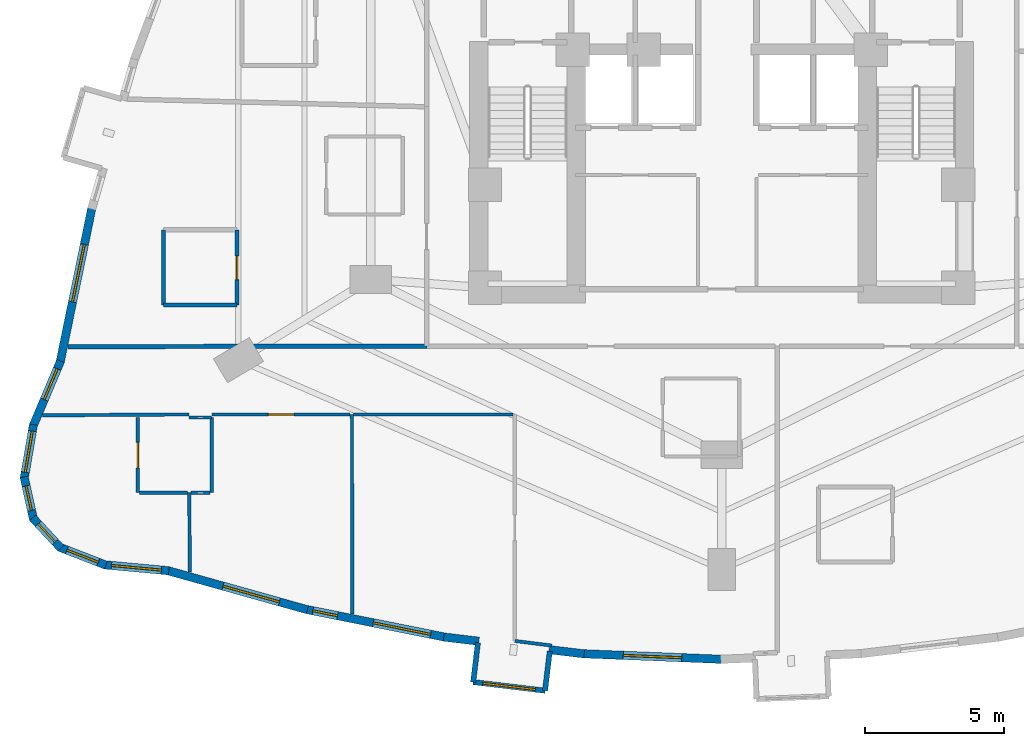
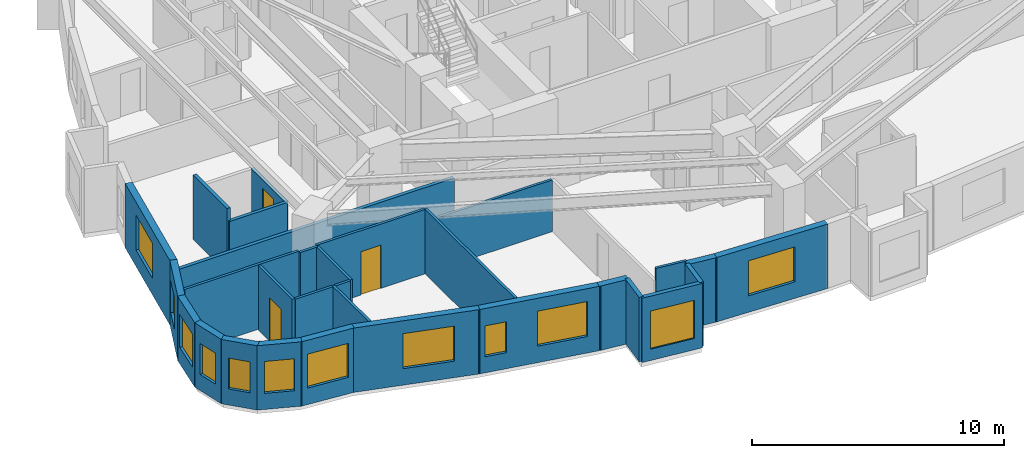
# One storey, part 8 of 15: 30 walls, 12 windows, 3 doors, 15 openings.
"""IFC4 building model written with IfcOpenShell, lengths in metres."""

from ifc_helpers import new_model, si_unit, direction, frame, frame_2d, origin, place, context, subcontext, project, spatial, rectangle, extrude, material, layer, layer_set, type_object, element, fill, save


model = new_model("IFC4")

# Units and contexts
model_context = context("Model", 3, precision=1e-05, world=origin(), true_north=direction((0.0, 1.0)))
body_context = subcontext(model_context, "Body", "Model", "MODEL_VIEW")
ifc_project = project(units=[si_unit("LENGTHUNIT", "METRE"), si_unit("AREAUNIT", "SQUARE_METRE"), si_unit("VOLUMEUNIT", "CUBIC_METRE"), si_unit("PLANEANGLEUNIT", "RADIAN"), si_unit("MASSUNIT", "GRAM", prefix="KILO")], contexts=[model_context])

# Site, building, storey
site_placement = place(None, origin())
site = spatial("IfcSite", under=ifc_project, at=site_placement, CompositionType="ELEMENT")
building_placement = place(site_placement, origin())
building = spatial("IfcBuilding", under=site, at=building_placement, Name="Miruveldt Soraemaru", CompositionType="ELEMENT")
storey_placement = place(building_placement, frame((0.0, 0.0, 32.60009765625)))
storey = spatial("IfcBuildingStorey", under=building, at=storey_placement, Name="L08", CompositionType="ELEMENT", Elevation=32.60009765625)

# Walls
ifc_material_1 = material(Name="White powder-coated aluminium EN AW-6060 T6", Category="aluminium")
ifc_layer_1 = layer(ifc_material_1, 0.18994140625, Name="White powder-coated aluminium EN AW-6060 T6", Category="aluminium")
ifc_layer_set_1 = layer_set([ifc_layer_1], Name="White powder-coated aluminium EN AW-6060 T6")
wall_type_1 = type_object("IfcWallType", Name="WALL-BAY-ALU190", PredefinedType="SOLIDWALL", material=ifc_layer_set_1)
wall_1_placement = place(storey_placement, frame((35.244384765625, 22.7529296875, 0.0), z_axis=(0.0, 0.0, 1.0), x_axis=(-0.119057405757, -0.992887372331, 0.0)))
element("IfcWall", 1, at=wall_1_placement, inside=storey, type_object=wall_type_1, Name="L08 Bay Window Side Cheek 4L", PredefinedType="SOLIDWALL", context=body_context, shape_type="SweptSolid", body=[
    extrude(rectangle(XDim=1.42529296875, YDim=0.18994140625, at=frame_2d((0.712646484375, 0.0))), origin(), (0.0, 0.0, 1.0), 3.125),
])
wall_2_placement = place(storey_placement, frame((37.656005859375, 21.0283203125, 0.0), z_axis=(0.0, 0.0, 1.0), x_axis=(0.119077659317, 0.992884943511, 0.0)))
element("IfcWall", 2, at=wall_2_placement, inside=storey, type_object=wall_type_1, Name="L08 Bay Window Side Cheek 4R", PredefinedType="SOLIDWALL", context=body_context, shape_type="SweptSolid", body=[
    extrude(rectangle(XDim=1.425048828125, YDim=0.18994140625, at=frame_2d((0.71240234375, 0.0))), origin(), (0.0, 0.0, 1.0), 3.125),
])

# Wall, opening, window
wall_3_placement = place(storey_placement, frame((35.07470703125, 21.337890625, 0.0), z_axis=(0.0, 0.0, 1.0), x_axis=(0.992885278793, -0.119074863663, 0.0)))
wall_3 = element("IfcWall", 3, at=wall_3_placement, inside=storey, type_object=wall_type_1, Name="L08 Bay Window Front Frame 4", PredefinedType="SOLIDWALL", context=body_context, shape_type="SweptSolid", body=[
    extrude(rectangle(XDim=2.599853515625, YDim=0.18994140625, at=frame_2d((1.2998046875, 0.0))), origin(), (0.0, 0.0, 1.0), 3.125),
])
opening_1_placement = place(wall_3_placement, frame((0.35009765625, 0.0, 0.550048828125)))
opening_1 = element("IfcOpeningElement", 4, at=opening_1_placement, cuts=wall_3, Name="Opening WN-6", PredefinedType="OPENING", context=body_context, shape_type="SweptSolid", body=[
    extrude(rectangle(XDim=1.89990234375, YDim=1.85009765625, at=frame_2d((0.949951171875, 0.925048828125))), frame((0.0, 0.10498046875, 0.0), z_axis=(0.0, -1.0, 0.0), x_axis=(1.0, 0.0, 0.0)), (0.0, 0.0, 1.0), 0.2099609375),
])
ifc_material_2 = material(Name="Triple low-e insulated glazing", Category="glass")
window_type_1 = type_object("IfcWindowType", Name="WIN-BAYW-1900x1850", PartitioningType="SINGLE_PANEL", PredefinedType="WINDOW", material=ifc_material_2)
window_1_placement = place(opening_1_placement, origin())
window_1 = element("IfcWindow", 5, at=window_1_placement, inside=storey, type_object=window_type_1, Name="L08 Projecting Bay Window 4", OverallHeight=1.85009765625, OverallWidth=1.89990234375, PartitioningType="SINGLE_PANEL", PredefinedType="WINDOW", context=body_context, shape_type="SweptSolid", body=[
    extrude(rectangle(XDim=1.89990234375, YDim=1.85009765625, at=frame_2d((0.949951171875, 0.925048828125))), frame((0.0, 0.030029296875, 0.0), z_axis=(0.0, -1.0, 0.0), x_axis=(1.0, 0.0, 0.0)), (0.0, 0.0, 1.0), 0.06005859375),
])
fill(opening_1, window_1)

ifc_material_3 = material(Name="Precast concrete C45/55 (45 MPa)", Category="concrete")
ifc_layer_2 = layer(ifc_material_3, 0.300048828125, Name="Precast concrete C45/55 (45 MPa)", Category="concrete")
ifc_layer_set_2 = layer_set([ifc_layer_2], Name="Precast concrete C45/55 (45 MPa)")
wall_type_2 = type_object("IfcWallType", Name="WALL-EXT-PC300", PredefinedType="SOLIDWALL", material=ifc_layer_set_2)
wall_4_placement = place(storey_placement, frame((21.386474609375, 38.39306640625, 0.0), z_axis=(0.0, 0.0, 1.0), x_axis=(-0.201578050416, -0.979472454738, 0.0)))
wall_4 = element("IfcWall", 6, at=wall_4_placement, inside=storey, type_object=wall_type_2, Name="L08 Precast Concrete Facade Wall 14", PredefinedType="SOLIDWALL", context=body_context, shape_type="SweptSolid", body=[
    extrude(rectangle(XDim=5.70458984375, YDim=0.300048828125, at=frame_2d((2.852294921875, 0.0))), origin(), (0.0, 0.0, 1.0), 3.125),
])
opening_2_placement = place(wall_4_placement, frame((1.3701171875, 0.0, 0.800048828125)))
opening_2 = element("IfcOpeningElement", 7, at=opening_2_placement, cuts=wall_4, Name="Opening WN-1", PredefinedType="OPENING", context=body_context, shape_type="SweptSolid", body=[
    extrude(rectangle(XDim=2.10009765625, YDim=1.699951171875, at=frame_2d((1.050048828125, 0.85009765625))), frame((0.0, 0.16015625, 0.0), z_axis=(0.0, -1.0, 0.0), x_axis=(1.0, 0.0, 0.0)), (0.0, 0.0, 1.0), 0.320068359375),
])
window_type_2 = type_object("IfcWindowType", Name="WIN-PUNCH-2100x1700", PartitioningType="SINGLE_PANEL", PredefinedType="WINDOW", material=ifc_material_2)
window_2_placement = place(opening_2_placement, origin())
window_2 = element("IfcWindow", 8, at=window_2_placement, inside=storey, type_object=window_type_2, Name="L08 Punched Triple-Glazed Window 14.1", OverallHeight=1.699951171875, OverallWidth=2.10009765625, PartitioningType="SINGLE_PANEL", PredefinedType="WINDOW", context=body_context, shape_type="SweptSolid", body=[
    extrude(rectangle(XDim=2.10009765625, YDim=1.699951171875, at=frame_2d((1.050048828125, 0.85009765625))), frame((0.0, 0.030029296875, 0.0), z_axis=(0.0, -1.0, 0.0), x_axis=(1.0, 0.0, 0.0)), (0.0, 0.0, 1.0), 0.06005859375),
])
fill(opening_2, window_2)

wall_5_placement = place(storey_placement, frame((20.25732421875, 32.8720703125, 0.0), z_axis=(0.0, 0.0, 1.0), x_axis=(-0.388671385618, -0.921376445326, 0.0)))
wall_5 = element("IfcWall", 9, at=wall_5_placement, inside=storey, type_object=wall_type_2, Name="L08 Precast Concrete Facade Wall 15", PredefinedType="SOLIDWALL", context=body_context, shape_type="SweptSolid", body=[
    extrude(rectangle(XDim=2.557861328125, YDim=0.300048828125, at=frame_2d((1.27880859375, 0.0))), origin(), (0.0, 0.0, 1.0), 3.125),
])
opening_3_placement = place(wall_5_placement, frame((0.305908203125, 0.0, 0.780029296875)))
opening_3 = element("IfcOpeningElement", 10, at=opening_3_placement, cuts=wall_5, Name="Opening WN-4", PredefinedType="OPENING", context=body_context, shape_type="SweptSolid", body=[
    extrude(rectangle(XDim=1.199951171875, YDim=1.550048828125, at=frame_2d((0.60009765625, 0.77490234375))), frame((0.0, 0.16015625, 0.0), z_axis=(0.0, -1.0, 0.0), x_axis=(1.0, 0.0, 0.0)), (0.0, 0.0, 1.0), 0.320068359375),
])
window_type_3 = type_object("IfcWindowType", Name="WIN-PUNCH-1200x1550", PartitioningType="SINGLE_PANEL", PredefinedType="WINDOW", material=ifc_material_2)
window_3_placement = place(opening_3_placement, origin())
window_3 = element("IfcWindow", 11, at=window_3_placement, inside=storey, type_object=window_type_3, Name="L08 Punched Triple-Glazed Window 15.1", OverallHeight=1.550048828125, OverallWidth=1.199951171875, PartitioningType="SINGLE_PANEL", PredefinedType="WINDOW", context=body_context, shape_type="SweptSolid", body=[
    extrude(rectangle(XDim=1.199951171875, YDim=1.550048828125, at=frame_2d((0.60009765625, 0.77490234375))), frame((0.0, 0.030029296875, 0.0), z_axis=(0.0, -1.0, 0.0), x_axis=(1.0, 0.0, 0.0)), (0.0, 0.0, 1.0), 0.06005859375),
])
fill(opening_3, window_3)

wall_6_placement = place(storey_placement, frame((19.28271484375, 30.58203125, 0.0), z_axis=(0.0, 0.0, 1.0), x_axis=(-0.169272905245, -0.985569218041, 0.0)))
wall_6 = element("IfcWall", 12, at=wall_6_placement, inside=storey, type_object=wall_type_2, Name="L08 Precast Concrete Facade Wall 16", PredefinedType="SOLIDWALL", context=body_context, shape_type="SweptSolid", body=[
    extrude(rectangle(XDim=1.97314453125, YDim=0.300048828125, at=frame_2d((0.986572265625, 0.0))), origin(), (0.0, 0.0, 1.0), 3.125),
])
opening_4_placement = place(wall_6_placement, frame((0.236083984375, 0.0, 0.800048828125)))
opening_4 = element("IfcOpeningElement", 13, at=opening_4_placement, cuts=wall_6, Name="Opening WN-3", PredefinedType="OPENING", context=body_context, shape_type="SweptSolid", body=[
    extrude(rectangle(XDim=1.5, YDim=1.60009765625, at=frame_2d((0.75, 0.800048828125))), frame((0.0, 0.16015625, 0.0), z_axis=(0.0, -1.0, 0.0), x_axis=(1.0, 0.0, 0.0)), (0.0, 0.0, 1.0), 0.320068359375),
])
window_type_4 = type_object("IfcWindowType", Name="WIN-PUNCH-1500x1600", PartitioningType="SINGLE_PANEL", PredefinedType="WINDOW", material=ifc_material_2)
window_4_placement = place(opening_4_placement, origin())
window_4 = element("IfcWindow", 14, at=window_4_placement, inside=storey, type_object=window_type_4, Name="L08 Punched Triple-Glazed Window 16.1", OverallHeight=1.60009765625, OverallWidth=1.5, PartitioningType="SINGLE_PANEL", PredefinedType="WINDOW", context=body_context, shape_type="SweptSolid", body=[
    extrude(rectangle(XDim=1.5, YDim=1.60009765625, at=frame_2d((0.75, 0.800048828125))), frame((0.0, 0.030029296875, 0.0), z_axis=(0.0, -1.0, 0.0), x_axis=(1.0, 0.0, 0.0)), (0.0, 0.0, 1.0), 0.06005859375),
])
fill(opening_4, window_4)

wall_7_placement = place(storey_placement, frame((18.947021484375, 28.706298828125, 0.0), z_axis=(0.0, 0.0, 1.0), x_axis=(0.215707327846, -0.976458062957, 0.0)))
wall_7 = element("IfcWall", 15, at=wall_7_placement, inside=storey, type_object=wall_type_2, Name="L08 Precast Concrete Facade Wall 17", PredefinedType="SOLIDWALL", context=body_context, shape_type="SweptSolid", body=[
    extrude(rectangle(XDim=1.564208984375, YDim=0.300048828125, at=frame_2d((0.7822265625, 0.0))), origin(), (0.0, 0.0, 1.0), 3.125),
])
opening_5_placement = place(wall_7_placement, frame((0.33203125, 0.0, 0.780029296875)))
opening_5 = element("IfcOpeningElement", 16, at=opening_5_placement, cuts=wall_7, Name="Opening WN-7", PredefinedType="OPENING", context=body_context, shape_type="SweptSolid", body=[
    extrude(rectangle(XDim=0.89990234375, YDim=1.5, at=frame_2d((0.449951171875, 0.75))), frame((0.0, 0.16015625, 0.0), z_axis=(0.0, -1.0, 0.0), x_axis=(1.0, 0.0, 0.0)), (0.0, 0.0, 1.0), 0.320068359375),
])
window_type_5 = type_object("IfcWindowType", Name="WIN-PUNCH-900x1500", PartitioningType="SINGLE_PANEL", PredefinedType="WINDOW", material=ifc_material_2)
window_5_placement = place(opening_5_placement, origin())
window_5 = element("IfcWindow", 17, at=window_5_placement, inside=storey, type_object=window_type_5, Name="L08 Punched Triple-Glazed Window 17.1", OverallHeight=1.5, OverallWidth=0.89990234375, PartitioningType="SINGLE_PANEL", PredefinedType="WINDOW", context=body_context, shape_type="SweptSolid", body=[
    extrude(rectangle(XDim=0.89990234375, YDim=1.5, at=frame_2d((0.449951171875, 0.75))), frame((0.0, 0.030029296875, 0.0), z_axis=(0.0, -1.0, 0.0), x_axis=(1.0, 0.0, 0.0)), (0.0, 0.0, 1.0), 0.06005859375),
])
fill(opening_5, window_5)

wall_8_placement = place(storey_placement, frame((19.253173828125, 27.239013671875, 0.0), z_axis=(0.0, 0.0, 1.0), x_axis=(0.680093162968, -0.73312569842, 0.0)))
wall_8 = element("IfcWall", 18, at=wall_8_placement, inside=storey, type_object=wall_type_2, Name="L08 Precast Concrete Facade Wall 18", PredefinedType="SOLIDWALL", context=body_context, shape_type="SweptSolid", body=[
    extrude(rectangle(XDim=1.491455078125, YDim=0.300048828125, at=frame_2d((0.74560546875, 0.0))), origin(), (0.0, 0.0, 1.0), 3.125),
])
opening_6_placement = place(wall_8_placement, frame((0.294921875, 0.0, 0.780029296875)))
opening_6 = element("IfcOpeningElement", 19, at=opening_6_placement, cuts=wall_8, Name="Opening WN-7", PredefinedType="OPENING", context=body_context, shape_type="SweptSolid", body=[
    extrude(rectangle(XDim=0.89990234375, YDim=1.5, at=frame_2d((0.449951171875, 0.75))), frame((0.0, 0.16015625, 0.0), z_axis=(0.0, -1.0, 0.0), x_axis=(1.0, 0.0, 0.0)), (0.0, 0.0, 1.0), 0.320068359375),
])
window_6_placement = place(opening_6_placement, origin())
window_6 = element("IfcWindow", 20, at=window_6_placement, inside=storey, type_object=window_type_5, Name="L08 Punched Triple-Glazed Window 18.1", OverallHeight=1.5, OverallWidth=0.89990234375, PartitioningType="SINGLE_PANEL", PredefinedType="WINDOW", context=body_context, shape_type="SweptSolid", body=[
    extrude(rectangle(XDim=0.89990234375, YDim=1.5, at=frame_2d((0.449951171875, 0.75))), frame((0.0, 0.030029296875, 0.0), z_axis=(0.0, -1.0, 0.0), x_axis=(1.0, 0.0, 0.0)), (0.0, 0.0, 1.0), 0.06005859375),
])
fill(opening_6, window_6)

wall_9_placement = place(storey_placement, frame((20.211181640625, 26.18408203125, 0.0), z_axis=(0.0, 0.0, 1.0), x_axis=(0.932256673609, -0.361797587763, 0.0)))
wall_9 = element("IfcWall", 21, at=wall_9_placement, inside=storey, type_object=wall_type_2, Name="L08 Precast Concrete Facade Wall 19", PredefinedType="SOLIDWALL", context=body_context, shape_type="SweptSolid", body=[
    extrude(rectangle(XDim=1.79833984375, YDim=0.300048828125, at=frame_2d((0.899169921875, 0.0))), origin(), (0.0, 0.0, 1.0), 3.125),
])
opening_7_placement = place(wall_9_placement, frame((0.299072265625, 0.0, 0.780029296875)))
opening_7 = element("IfcOpeningElement", 22, at=opening_7_placement, cuts=wall_9, Name="Opening WN-4", PredefinedType="OPENING", context=body_context, shape_type="SweptSolid", body=[
    extrude(rectangle(XDim=1.199951171875, YDim=1.550048828125, at=frame_2d((0.60009765625, 0.77490234375))), frame((0.0, 0.16015625, 0.0), z_axis=(0.0, -1.0, 0.0), x_axis=(1.0, 0.0, 0.0)), (0.0, 0.0, 1.0), 0.320068359375),
])
window_7_placement = place(opening_7_placement, origin())
window_7 = element("IfcWindow", 23, at=window_7_placement, inside=storey, type_object=window_type_3, Name="L08 Punched Triple-Glazed Window 19.1", OverallHeight=1.550048828125, OverallWidth=1.199951171875, PartitioningType="SINGLE_PANEL", PredefinedType="WINDOW", context=body_context, shape_type="SweptSolid", body=[
    extrude(rectangle(XDim=1.199951171875, YDim=1.550048828125, at=frame_2d((0.60009765625, 0.77490234375))), frame((0.0, 0.030029296875, 0.0), z_axis=(0.0, -1.0, 0.0), x_axis=(1.0, 0.0, 0.0)), (0.0, 0.0, 1.0), 0.06005859375),
])
fill(opening_7, window_7)

wall_10_placement = place(storey_placement, frame((21.8203125, 25.54931640625, 0.0), z_axis=(0.0, 0.0, 1.0), x_axis=(0.995760200103, -0.09198708546, 0.0)))
wall_10 = element("IfcWall", 24, at=wall_10_placement, inside=storey, type_object=wall_type_2, Name="L08 Precast Concrete Facade Wall 20", PredefinedType="SOLIDWALL", context=body_context, shape_type="SweptSolid", body=[
    extrude(rectangle(XDim=2.335693359375, YDim=0.300048828125, at=frame_2d((1.16796875, 0.0))), origin(), (0.0, 0.0, 1.0), 3.125),
])
opening_8_placement = place(wall_10_placement, frame((0.26806640625, 0.0, 0.800048828125)))
opening_8 = element("IfcOpeningElement", 25, at=opening_8_placement, cuts=wall_10, Name="Opening WN-2", PredefinedType="OPENING", context=body_context, shape_type="SweptSolid", body=[
    extrude(rectangle(XDim=1.800048828125, YDim=1.64990234375, at=frame_2d((0.89990234375, 0.824951171875))), frame((0.0, 0.16015625, 0.0), z_axis=(0.0, -1.0, 0.0), x_axis=(1.0, 0.0, 0.0)), (0.0, 0.0, 1.0), 0.320068359375),
])
window_type_6 = type_object("IfcWindowType", Name="WIN-PUNCH-1800x1650", PartitioningType="SINGLE_PANEL", PredefinedType="WINDOW", material=ifc_material_2)
window_8_placement = place(opening_8_placement, origin())
window_8 = element("IfcWindow", 26, at=window_8_placement, inside=storey, type_object=window_type_6, Name="L08 Punched Triple-Glazed Window 20.1", OverallHeight=1.64990234375, OverallWidth=1.800048828125, PartitioningType="SINGLE_PANEL", PredefinedType="WINDOW", context=body_context, shape_type="SweptSolid", body=[
    extrude(rectangle(XDim=1.800048828125, YDim=1.64990234375, at=frame_2d((0.89990234375, 0.824951171875))), frame((0.0, 0.030029296875, 0.0), z_axis=(0.0, -1.0, 0.0), x_axis=(1.0, 0.0, 0.0)), (0.0, 0.0, 1.0), 0.06005859375),
])
fill(opening_8, window_8)

wall_11_placement = place(storey_placement, frame((24.077392578125, 25.34716796875, 0.0), z_axis=(0.0, 0.0, 1.0), x_axis=(0.962961112649, -0.269640307679, 0.0)))
wall_11 = element("IfcWall", 27, at=wall_11_placement, inside=storey, type_object=wall_type_2, Name="L08 Precast Concrete Facade Wall 21", PredefinedType="SOLIDWALL", context=body_context, shape_type="SweptSolid", body=[
    extrude(rectangle(XDim=5.2333984375, YDim=0.300048828125, at=frame_2d((2.61669921875, 0.0))), origin(), (0.0, 0.0, 1.0), 3.125),
])
opening_9_placement = place(wall_11_placement, frame((2.091064453125, 0.0, 0.800048828125)))
opening_9 = element("IfcOpeningElement", 28, at=opening_9_placement, cuts=wall_11, Name="Opening WN-1", PredefinedType="OPENING", context=body_context, shape_type="SweptSolid", body=[
    extrude(rectangle(XDim=2.10009765625, YDim=1.699951171875, at=frame_2d((1.050048828125, 0.85009765625))), frame((0.0, 0.16015625, 0.0), z_axis=(0.0, -1.0, 0.0), x_axis=(1.0, 0.0, 0.0)), (0.0, 0.0, 1.0), 0.320068359375),
])
window_9_placement = place(opening_9_placement, origin())
window_9 = element("IfcWindow", 29, at=window_9_placement, inside=storey, type_object=window_type_2, Name="L08 Punched Triple-Glazed Window 21.1", OverallHeight=1.699951171875, OverallWidth=2.10009765625, PartitioningType="SINGLE_PANEL", PredefinedType="WINDOW", context=body_context, shape_type="SweptSolid", body=[
    extrude(rectangle(XDim=2.10009765625, YDim=1.699951171875, at=frame_2d((1.050048828125, 0.85009765625))), frame((0.0, 0.030029296875, 0.0), z_axis=(0.0, -1.0, 0.0), x_axis=(1.0, 0.0, 0.0)), (0.0, 0.0, 1.0), 0.06005859375),
])
fill(opening_9, window_9)

# Wall, openings, windows
wall_12_placement = place(storey_placement, frame((29.048828125, 23.952392578125, 0.0), z_axis=(0.0, 0.0, 1.0), x_axis=(0.980577022431, -0.196134400554, 0.0)))
wall_12 = element("IfcWall", 30, at=wall_12_placement, inside=storey, type_object=wall_type_2, Name="L08 Precast Concrete Facade Wall 22", PredefinedType="SOLIDWALL", context=body_context, shape_type="SweptSolid", body=[
    extrude(rectangle(XDim=5.140869140625, YDim=0.300048828125, at=frame_2d((2.5703125, 0.0))), origin(), (0.0, 0.0, 1.0), 3.125),
])
opening_10_placement = place(wall_12_placement, frame((0.27392578125, 0.0, 0.780029296875)))
opening_10 = element("IfcOpeningElement", 31, at=opening_10_placement, cuts=wall_12, Name="Opening WN-7", PredefinedType="OPENING", context=body_context, shape_type="SweptSolid", body=[
    extrude(rectangle(XDim=0.89990234375, YDim=1.5, at=frame_2d((0.449951171875, 0.75))), frame((0.0, 0.16015625, 0.0), z_axis=(0.0, -1.0, 0.0), x_axis=(1.0, 0.0, 0.0)), (0.0, 0.0, 1.0), 0.320068359375),
])
opening_11_placement = place(wall_12_placement, frame((2.485107421875, 0.0, 0.800048828125)))
opening_11 = element("IfcOpeningElement", 32, at=opening_11_placement, cuts=wall_12, Name="Opening WN-1", PredefinedType="OPENING", context=body_context, shape_type="SweptSolid", body=[
    extrude(rectangle(XDim=2.10009765625, YDim=1.699951171875, at=frame_2d((1.050048828125, 0.85009765625))), frame((0.0, 0.16015625, 0.0), z_axis=(0.0, -1.0, 0.0), x_axis=(1.0, 0.0, 0.0)), (0.0, 0.0, 1.0), 0.320068359375),
])
window_10_placement = place(opening_11_placement, origin())
window_10 = element("IfcWindow", 33, at=window_10_placement, inside=storey, type_object=window_type_2, Name="L08 Punched Triple-Glazed Window 22.2", OverallHeight=1.699951171875, OverallWidth=2.10009765625, PartitioningType="SINGLE_PANEL", PredefinedType="WINDOW", context=body_context, shape_type="SweptSolid", body=[
    extrude(rectangle(XDim=2.10009765625, YDim=1.699951171875, at=frame_2d((1.050048828125, 0.85009765625))), frame((0.0, 0.030029296875, 0.0), z_axis=(0.0, -1.0, 0.0), x_axis=(1.0, 0.0, 0.0)), (0.0, 0.0, 1.0), 0.06005859375),
])
fill(opening_11, window_10)
window_11_placement = place(opening_10_placement, origin())
window_11 = element("IfcWindow", 34, at=window_11_placement, inside=storey, type_object=window_type_5, Name="L08 Punched Triple-Glazed Window 22.1", OverallHeight=1.5, OverallWidth=0.89990234375, PartitioningType="SINGLE_PANEL", PredefinedType="WINDOW", context=body_context, shape_type="SweptSolid", body=[
    extrude(rectangle(XDim=0.89990234375, YDim=1.5, at=frame_2d((0.449951171875, 0.75))), frame((0.0, 0.030029296875, 0.0), z_axis=(0.0, -1.0, 0.0), x_axis=(1.0, 0.0, 0.0)), (0.0, 0.0, 1.0), 0.06005859375),
])
fill(opening_10, window_11)

# Walls
for number, where, z_axis, x_axis, name in (
    (35, (34.020751953125, 22.955078125, 0.0), (0.0, 0.0, 1.0), (0.992884119236, -0.11908453203, 0.0), "L08 Precast Pier Wall 23A"),
    (36, (37.802490234375, 22.50146484375, 0.0), (0.0, 0.0, 1.0), (0.992861354933, -0.119274179434, 0.0), "L08 Precast Pier Wall 23B"),
):
    element("IfcWall", number, at=place(storey_placement, frame(where, z_axis=z_axis, x_axis=x_axis)), inside=storey, type_object=wall_type_2, Name=name, PredefinedType="SOLIDWALL", context=body_context, shape_type="SweptSolid", body=[
        extrude(rectangle(XDim=1.26904296875, YDim=0.300048828125, at=frame_2d((0.634521484375, 0.0))), origin(), (0.0, 0.0, 1.0), 3.125),
    ])

# Wall, opening, window
wall_13_placement = place(storey_placement, frame((38.99267578125, 22.355712890625, 0.0), z_axis=(0.0, 0.0, 1.0), x_axis=(0.99920119056, -0.03996224197, 0.0)))
wall_13 = element("IfcWall", 37, at=wall_13_placement, inside=storey, type_object=wall_type_2, Name="L08 Precast Concrete Facade Wall 24", PredefinedType="SOLIDWALL", context=body_context, shape_type="SweptSolid", body=[
    extrude(rectangle(XDim=5.04638671875, YDim=0.300048828125, at=frame_2d((2.523193359375, 0.0))), origin(), (0.0, 0.0, 1.0), 3.125),
])
opening_12_placement = place(wall_13_placement, frame((1.472900390625, 0.0, 0.800048828125)))
opening_12 = element("IfcOpeningElement", 38, at=opening_12_placement, cuts=wall_13, Name="Opening WN-1", PredefinedType="OPENING", context=body_context, shape_type="SweptSolid", body=[
    extrude(rectangle(XDim=2.10009765625, YDim=1.699951171875, at=frame_2d((1.050048828125, 0.85009765625))), frame((0.0, 0.16015625, 0.0), z_axis=(0.0, -1.0, 0.0), x_axis=(1.0, 0.0, 0.0)), (0.0, 0.0, 1.0), 0.320068359375),
])
window_12_placement = place(opening_12_placement, origin())
window_12 = element("IfcWindow", 39, at=window_12_placement, inside=storey, type_object=window_type_2, Name="L08 Punched Triple-Glazed Window 24.1", OverallHeight=1.699951171875, OverallWidth=2.10009765625, PartitioningType="SINGLE_PANEL", PredefinedType="WINDOW", context=body_context, shape_type="SweptSolid", body=[
    extrude(rectangle(XDim=2.10009765625, YDim=1.699951171875, at=frame_2d((1.050048828125, 0.85009765625))), frame((0.0, 0.030029296875, 0.0), z_axis=(0.0, -1.0, 0.0), x_axis=(1.0, 0.0, 0.0)), (0.0, 0.0, 1.0), 0.06005859375),
])
fill(opening_12, window_12)

# Wall, opening, door
ifc_material_4 = material(Name="Gypsum plasterboard lining", Category="gypsum")
ifc_layer_3 = layer(ifc_material_4, 0.1201171875, Name="Gypsum plasterboard lining", Category="gypsum")
ifc_layer_set_3 = layer_set([ifc_layer_3], Name="Gypsum plasterboard lining")
wall_type_3 = type_object("IfcWallType", Name="WALL-INT-P120", PredefinedType="PARTITIONING", material=ifc_layer_set_3)
wall_14_placement = place(storey_placement, frame((25.69189453125, 30.949951171875, 0.0), z_axis=(0.0, 0.0, 1.0), x_axis=(1.0, 0.0, 0.0)))
wall_14 = element("IfcWall", 40, at=wall_14_placement, inside=storey, type_object=wall_type_3, Name="L08 Partition Wall 93", PredefinedType="PARTITIONING", context=body_context, shape_type="SweptSolid", body=[
    extrude(rectangle(XDim=4.968017578125, YDim=0.1201171875, at=frame_2d((2.48388671875, 0.0))), origin(), (0.0, 0.0, 1.0), 3.125),
])
opening_13_placement = place(wall_14_placement, frame((2.02392578125, 0.0, 0.0)))
opening_13 = element("IfcOpeningElement", 41, at=opening_13_placement, cuts=wall_14, Name="Opening D3A", PredefinedType="OPENING", context=body_context, shape_type="SweptSolid", body=[
    extrude(rectangle(XDim=0.919921875, YDim=2.10009765625, at=frame_2d((0.4599609375, 1.050048828125))), frame((0.0, 0.070068359375, 0.0), z_axis=(0.0, -1.0, 0.0), x_axis=(1.0, 0.0, 0.0)), (0.0, 0.0, 1.0), 0.14013671875),
])
ifc_material_5 = material(Name="Anodised aluminium EN AW-6063 T6", Category="aluminium")
door_type_1 = type_object("IfcDoorType", Name="DOOR-INT-920", OperationType="NOTDEFINED", PredefinedType="DOOR", material=ifc_material_5)
door_1_placement = place(opening_13_placement, origin())
door_1 = element("IfcDoor", 42, at=door_1_placement, inside=storey, type_object=door_type_1, Name="L08 Unit 0808 BD2 Door", OperationType="SINGLE_SWING_LEFT", OverallHeight=2.10009765625, OverallWidth=0.919921875, PredefinedType="DOOR", context=body_context, shape_type="SweptSolid", body=[
    extrude(rectangle(XDim=0.919921875, YDim=2.10009765625, at=frame_2d((0.4599609375, 1.050048828125))), frame((0.0, 0.02490234375, 0.0), z_axis=(0.0, -1.0, 0.0), x_axis=(1.0, 0.0, 0.0)), (0.0, 0.0, 1.0), 0.050048828125),
])
fill(opening_13, door_1)

wall_15_placement = place(storey_placement, frame((23.033935546875, 30.837890625, 0.0), z_axis=(0.0, 0.0, 1.0), x_axis=(0.0, -1.0, 0.0)))
wall_15 = element("IfcWall", 43, at=wall_15_placement, inside=storey, type_object=wall_type_3, Name="L08 Partition Wall 89", PredefinedType="PARTITIONING", context=body_context, shape_type="SweptSolid", body=[
    extrude(rectangle(XDim=2.699951171875, YDim=0.1201171875, at=frame_2d((1.35009765625, 0.0))), origin(), (0.0, 0.0, 1.0), 3.125),
])
opening_14_placement = place(wall_15_placement, frame((0.889892578125, 0.0, 0.0)))
opening_14 = element("IfcOpeningElement", 44, at=opening_14_placement, cuts=wall_15, Name="Opening D3A", PredefinedType="OPENING", context=body_context, shape_type="SweptSolid", body=[
    extrude(rectangle(XDim=0.919921875, YDim=2.10009765625, at=frame_2d((0.4599609375, 1.050048828125))), frame((0.0, 0.070068359375, 0.0), z_axis=(0.0, -1.0, 0.0), x_axis=(1.0, 0.0, 0.0)), (0.0, 0.0, 1.0), 0.14013671875),
])
door_2_placement = place(opening_14_placement, origin())
door_2 = element("IfcDoor", 45, at=door_2_placement, inside=storey, type_object=door_type_1, Name="L08 Unit 0808 BD1 Door", OperationType="SINGLE_SWING_RIGHT", OverallHeight=2.10009765625, OverallWidth=0.919921875, PredefinedType="DOOR", context=body_context, shape_type="SweptSolid", body=[
    extrude(rectangle(XDim=0.919921875, YDim=2.10009765625, at=frame_2d((0.4599609375, 1.050048828125))), frame((0.0, 0.02490234375, 0.0), z_axis=(0.0, -1.0, 0.0), x_axis=(1.0, 0.0, 0.0)), (0.0, 0.0, 1.0), 0.050048828125),
])
fill(opening_14, door_2)

# Walls
wall_16_placement = place(storey_placement, frame((30.737060546875, 23.782958984375, 0.0), z_axis=(0.0, 0.0, 1.0), x_axis=(-0.002384514273, 0.999997157042, 0.0)))
element("IfcWall", 46, at=wall_16_placement, inside=storey, type_object=wall_type_3, Name="L08 Partition Wall 98", PredefinedType="PARTITIONING", context=body_context, shape_type="SweptSolid", body=[
    extrude(rectangle(XDim=7.1669921875, YDim=0.1201171875, at=frame_2d((3.58349609375, 0.0))), origin(), (0.0, 0.0, 1.0), 3.125),
])
wall_17_placement = place(storey_placement, frame((30.780029296875, 30.949951171875, 0.0), z_axis=(0.0, 0.0, 1.0), x_axis=(1.0, 0.0, 0.0)))
element("IfcWall", 47, at=wall_17_placement, inside=storey, type_object=wall_type_3, Name="L08 Partition Wall 94", PredefinedType="PARTITIONING", context=body_context, shape_type="SweptSolid", body=[
    extrude(rectangle(XDim=5.722900390625, YDim=0.1201171875, at=frame_2d((2.861328125, 0.0))), origin(), (0.0, 0.0, 1.0), 2.512939453125),
])
wall_18_placement = place(storey_placement, frame((19.612060546875, 30.9169921875, 0.0), z_axis=(0.0, 0.0, 1.0), x_axis=(0.999980413143, 0.006258860206, 0.0)))
element("IfcWall", 48, at=wall_18_placement, inside=storey, type_object=wall_type_3, Name="L08 Partition Wall 109", PredefinedType="PARTITIONING", context=body_context, shape_type="SweptSolid", body=[
    extrude(rectangle(XDim=5.265869140625, YDim=0.1201171875, at=frame_2d((2.6328125, 0.0))), origin(), (0.0, 0.0, 1.0), 3.125),
])
wall_19_placement = place(storey_placement, frame((24.90087890625, 25.2880859375, 0.0), z_axis=(0.0, 0.0, 1.0), x_axis=(-0.008052510266, 0.999967578014, 0.0)))
element("IfcWall", 49, at=wall_19_placement, inside=storey, type_object=wall_type_3, Name="L08 Partition Wall 97", PredefinedType="PARTITIONING", context=body_context, shape_type="SweptSolid", body=[
    extrude(rectangle(XDim=2.849853515625, YDim=0.1201171875, at=frame_2d((1.4248046875, 0.0))), origin(), (0.0, 0.0, 1.0), 3.125),
])
wall_20_placement = place(storey_placement, frame((25.68408203125, 28.137939453125, 0.0), z_axis=(0.0, 0.0, 1.0), x_axis=(0.0, 1.0, 0.0)))
element("IfcWall", 50, at=wall_20_placement, inside=storey, type_object=wall_type_3, Name="L08 Partition Wall 92", PredefinedType="PARTITIONING", context=body_context, shape_type="SweptSolid", body=[
    extrude(rectangle(XDim=2.699951171875, YDim=0.1201171875, at=frame_2d((1.35009765625, 0.0))), origin(), (0.0, 0.0, 1.0), 3.125),
])
wall_21_placement = place(storey_placement, frame((23.093994140625, 28.137939453125, 0.0), z_axis=(0.0, 0.0, 1.0), x_axis=(1.0, 0.0, 0.0)))
element("IfcWall", 51, at=wall_21_placement, inside=storey, type_object=wall_type_3, Name="L08 Partition Wall 90", PredefinedType="PARTITIONING", context=body_context, shape_type="SweptSolid", body=[
    extrude(rectangle(XDim=1.72412109375, YDim=0.1201171875, at=frame_2d((0.862060546875, 0.0))), origin(), (0.0, 0.0, 1.0), 3.125),
])
wall_22_placement = place(storey_placement, frame((36.572998046875, 22.81494140625, 0.0), z_axis=(0.0, 0.0, 1.0), x_axis=(0.992252596195, -0.124236811548, 0.0)))
element("IfcWall", 52, at=wall_22_placement, inside=storey, type_object=wall_type_3, Name="L08 Partition Closure Return 1", PredefinedType="PARTITIONING", context=body_context, shape_type="SweptSolid", body=[
    extrude(rectangle(XDim=1.338134765625, YDim=0.1201171875, at=frame_2d((0.6689453125, 0.0))), origin(), (0.0, 0.0, 1.0), 3.125),
])
wall_23_placement = place(storey_placement, frame((25.68408203125, 30.837890625, 0.0), z_axis=(0.0, 0.0, 1.0), x_axis=(-1.0, 0.0, 0.0)))
element("IfcWall", 53, at=wall_23_placement, inside=storey, type_object=wall_type_3, Name="L08 Partition Wall 110", PredefinedType="PARTITIONING", context=body_context, shape_type="SweptSolid", body=[
    extrude(rectangle(XDim=0.80615234375, YDim=0.1201171875, at=frame_2d((0.403076171875, 0.0))), origin(), (0.0, 0.0, 1.0), 3.125),
])
wall_24_placement = place(storey_placement, frame((24.93798828125, 28.137939453125, 0.0), z_axis=(0.0, 0.0, 1.0), x_axis=(1.0, 0.0, 0.0)))
element("IfcWall", 54, at=wall_24_placement, inside=storey, type_object=wall_type_3, Name="L08 Partition Wall 91", PredefinedType="PARTITIONING", context=body_context, shape_type="SweptSolid", body=[
    extrude(rectangle(XDim=0.68603515625, YDim=0.1201171875, at=frame_2d((0.343017578125, 0.0))), origin(), (0.0, 0.0, 1.0), 3.125),
])

# Wall, opening, door
ifc_layer_4 = layer(ifc_material_4, 0.14990234375, Name="Gypsum plasterboard lining", Category="gypsum")
ifc_layer_set_4 = layer_set([ifc_layer_4], Name="Gypsum plasterboard lining")
wall_type_4 = type_object("IfcWallType", Name="WALL-INT-PLUMB", PredefinedType="PLUMBINGWALL", material=ifc_layer_set_4)
wall_25_placement = place(storey_placement, frame((26.59912109375, 34.8798828125, 0.0), z_axis=(0.0, 0.0, 1.0), x_axis=(0.0, 1.0, 0.0)))
wall_25 = element("IfcWall", 55, at=wall_25_placement, inside=storey, type_object=wall_type_4, Name="L08 Partition Wall 55", PredefinedType="PLUMBINGWALL", context=body_context, shape_type="SweptSolid", body=[
    extrude(rectangle(XDim=2.7001953125, YDim=0.14990234375, at=frame_2d((1.35009765625, 0.0))), origin(), (0.0, 0.0, 1.0), 2.512939453125),
])
opening_15_placement = place(wall_25_placement, frame((0.909912109375, 0.0, 0.0)))
opening_15 = element("IfcOpeningElement", 56, at=opening_15_placement, cuts=wall_25, Name="Opening FD3", PredefinedType="OPENING", context=body_context, shape_type="SweptSolid", body=[
    extrude(rectangle(XDim=0.85009765625, YDim=2.10009765625, at=frame_2d((0.425048828125, 1.050048828125))), frame((0.0, 0.0849609375, 0.0), z_axis=(0.0, -1.0, 0.0), x_axis=(1.0, 0.0, 0.0)), (0.0, 0.0, 1.0), 0.169921875),
])
door_type_2 = type_object("IfcDoorType", Name="DOOR-FD3-850", OperationType="NOTDEFINED", PredefinedType="DOOR", material=ifc_material_5)
door_3_placement = place(opening_15_placement, origin())
door_3 = element("IfcDoor", 57, at=door_3_placement, inside=storey, type_object=door_type_2, Name="L08 Unit CL05 BTH Door", OperationType="SINGLE_SWING_LEFT", OverallHeight=2.10009765625, OverallWidth=0.85009765625, PredefinedType="DOOR", context=body_context, shape_type="SweptSolid", body=[
    extrude(rectangle(XDim=0.85009765625, YDim=2.10009765625, at=frame_2d((0.425048828125, 1.050048828125))), frame((0.0, 0.02490234375, 0.0), z_axis=(0.0, -1.0, 0.0), x_axis=(1.0, 0.0, 0.0)), (0.0, 0.0, 1.0), 0.050048828125),
])
fill(opening_15, door_3)

# Walls
wall_26_placement = place(storey_placement, frame((23.948974609375, 37.580078125, 0.0), z_axis=(0.0, 0.0, 1.0), x_axis=(0.0, -1.0, 0.0)))
element("IfcWall", 58, at=wall_26_placement, inside=storey, type_object=wall_type_4, Name="L08 Partition Wall 57", PredefinedType="PLUMBINGWALL", context=body_context, shape_type="SweptSolid", body=[
    extrude(rectangle(XDim=2.7001953125, YDim=0.14990234375, at=frame_2d((1.35009765625, 0.0))), origin(), (0.0, 0.0, 1.0), 3.125),
])
wall_27_placement = place(storey_placement, frame((23.948974609375, 34.8798828125, 0.0), z_axis=(0.0, 0.0, 1.0), x_axis=(1.0, 0.0, 0.0)))
element("IfcWall", 59, at=wall_27_placement, inside=storey, type_object=wall_type_4, Name="L08 Partition Wall 58", PredefinedType="PLUMBINGWALL", context=body_context, shape_type="SweptSolid", body=[
    extrude(rectangle(XDim=2.650146484375, YDim=0.14990234375, at=frame_2d((1.3251953125, 0.0))), origin(), (0.0, 0.0, 1.0), 2.512939453125),
])
ifc_material_6 = material(Name="Concrete C40/50 (40 MPa)", Category="concrete")
ifc_layer_5 = layer(ifc_material_6, 0.159912109375, Name="Concrete C40/50 (40 MPa)", Category="concrete")
ifc_layer_set_5 = layer_set([ifc_layer_5], Name="Concrete C40/50 (40 MPa)")
wall_type_5 = type_object("IfcWallType", Name="WALL-INT-RC160", PredefinedType="SOLIDWALL", material=ifc_layer_set_5)
wall_28_placement = place(storey_placement, frame((20.52392578125, 33.384033203125, 0.0), z_axis=(0.0, 0.0, 1.0), x_axis=(0.9999992417, 0.001231502827, 0.0)))
element("IfcWall", 60, at=wall_28_placement, inside=storey, type_object=wall_type_5, Name="L08 Partition Wall 63", PredefinedType="SOLIDWALL", context=body_context, shape_type="SweptSolid", body=[
    extrude(rectangle(XDim=12.885986328125, YDim=0.159912109375, at=frame_2d((6.44287109375, 0.0))), origin(), (0.0, 0.0, 1.0), 2.219970703125),
])

save(model, "model.ifc")
